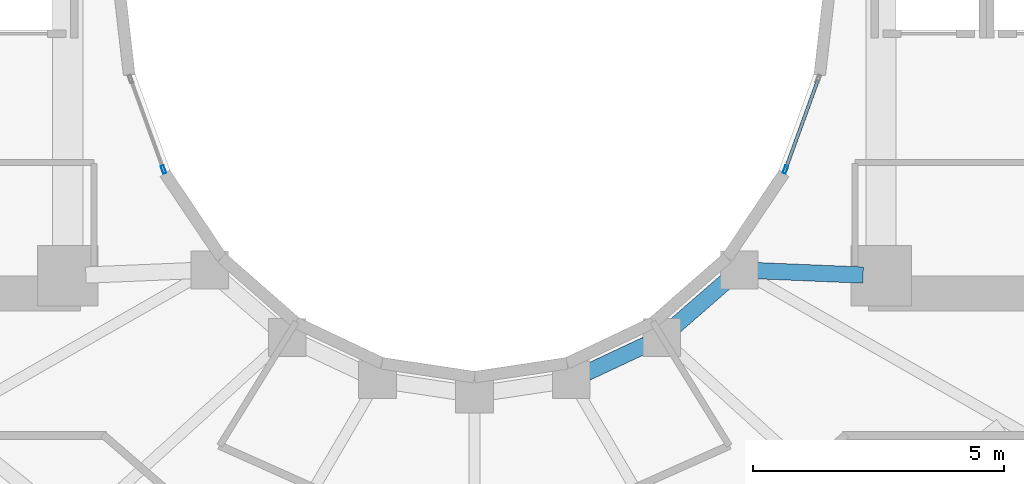
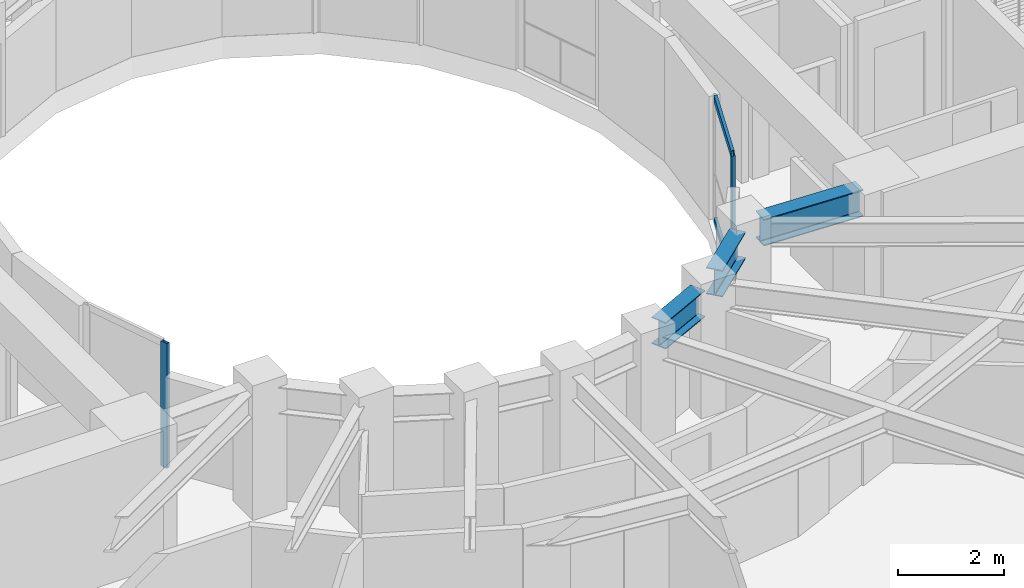
# One storey, part 4 of 20: 4 members, 3 beams, 2 elements without a shape of their own.
"""IFC4 building model written with IfcOpenShell, lengths in metres."""

from ifc_helpers import new_model, si_unit, direction, frame, origin, origin_2d, place, context, subcontext, project, spatial, hollow_rectangle, i_section, extrude, material, layer, layer_set, material_profile, profile_set, type_object, element, aggregate, save


model = new_model("IFC4")

# Units and contexts
model_context = context("Model", 3, precision=1e-05, world=origin(), true_north=direction((0.0, 1.0)))
body_context = subcontext(model_context, "Body", "Model", "MODEL_VIEW")
ifc_project = project(units=[si_unit("LENGTHUNIT", "METRE"), si_unit("AREAUNIT", "SQUARE_METRE"), si_unit("VOLUMEUNIT", "CUBIC_METRE"), si_unit("PLANEANGLEUNIT", "RADIAN"), si_unit("MASSUNIT", "GRAM", prefix="KILO")], contexts=[model_context])

# Site, building, storey
site_placement = place(None, origin())
site = spatial("IfcSite", under=ifc_project, at=site_placement, CompositionType="ELEMENT")
building_placement = place(site_placement, origin())
building = spatial("IfcBuilding", under=site, at=building_placement, Name="Solvane Sanctuary Tower", CompositionType="ELEMENT")
storey_placement = place(building_placement, frame((0.0, 0.0, 137.39990234375)))
storey = spatial("IfcBuildingStorey", under=building, at=storey_placement, Name="L41", CompositionType="ELEMENT", Elevation=137.39990234375)

# Beams
ifc_material_1 = material(Name="Steel ASTM A992 Grade 50", Category="steel")
ifc_material_profile_1 = material_profile(ifc_material_1, i_section(OverallWidth=0.324951171875, OverallDepth=0.615966796875, WebThickness=0.013916015625, FlangeThickness=0.021484375, FilletRadius=0.01611328125, at=origin_2d()), Name="W24X117")
ifc_profile_set_1 = profile_set([ifc_material_profile_1], Name="Steel ASTM A992 Grade 50")
beam_type = type_object("IfcBeamType", Name="Beam B-RING-IN2 W24X117", PredefinedType="BEAM", material=ifc_profile_set_1)
beam_1_placement = place(storey_placement, frame((34.2431640625, 14.97509765625, 2.570068359375), z_axis=(0.9051808128, 0.425026700502, 0.0), x_axis=(-0.425026700502, 0.9051808128, 0.0)))
element("IfcBeam", 1, at=beam_1_placement, inside=storey, type_object=beam_type, Name="L41 Inner Light-Well Ring Beam IC12-IC13", PredefinedType="BEAM", context=body_context, shape_type="SweptSolid", body=[
    extrude(i_section(OverallWidth=0.324951171875, OverallDepth=0.615966796875, WebThickness=0.013916015625, FlangeThickness=0.021484375, FilletRadius=0.01611328125, at=origin_2d()), origin(), (0.0, 0.0, 1.0), 1.297607421875),
])
beam_2_placement = place(storey_placement, frame((35.990234375, 15.89990234375, 2.570068359375), z_axis=(0.754311313851, 0.656516901379, 0.0), x_axis=(-0.656516901379, 0.754311313851, 0.0)))
element("IfcBeam", 2, at=beam_2_placement, inside=storey, type_object=beam_type, Name="L41 Inner Light-Well Ring Beam IC13-IC14", PredefinedType="BEAM", context=body_context, shape_type="SweptSolid", body=[
    extrude(i_section(OverallWidth=0.324951171875, OverallDepth=0.615966796875, WebThickness=0.013916015625, FlangeThickness=0.021484375, FilletRadius=0.01611328125, at=origin_2d()), origin(), (0.0, 0.0, 1.0), 1.358154296875),
])
beam_3_placement = place(storey_placement, frame((37.61962890625, 17.00341796875, 2.570068359375), z_axis=(0.999132674336, -0.041640113759, 0.0), x_axis=(0.041640113759, 0.999132674336, 0.0)))
element("IfcBeam", 3, at=beam_3_placement, inside=storey, type_object=beam_type, Name="L41 Inner Light-Well Ring Beam IC14-CE1", PredefinedType="BEAM", context=body_context, shape_type="SweptSolid", body=[
    extrude(i_section(OverallWidth=0.324951171875, OverallDepth=0.615966796875, WebThickness=0.013916015625, FlangeThickness=0.021484375, FilletRadius=0.01611328125, at=origin_2d()), origin(), (0.0, 0.0, 1.0), 2.12255859375),
])

# Curtain wall, member
ifc_material_2 = material(Name="Anodised Aluminium 6063-T6", Category="aluminium")
ifc_layer = layer(ifc_material_2, 0.199951171875, Name="Anodised Aluminium 6063-T6")
ifc_layer_set = layer_set([ifc_layer], Name="Anodised Aluminium 6063-T6")
curtain_wall_type = type_object("IfcCurtainWallType", Name="Curtain Wall CW-WELL", PredefinedType="NOTDEFINED", material=ifc_layer_set)
curtain_wall_1_placement = place(storey_placement, origin())
curtain_wall_1 = element("IfcCurtainWall", 4, at=curtain_wall_1_placement, inside=storey, type_object=curtain_wall_type, Name="L41 Light-Well Glazed Curtain Wall 13", PredefinedType="NOTDEFINED")
ifc_material_profile_2 = material_profile(ifc_material_2, hollow_rectangle(XDim=0.06494140625, YDim=0.159912109375, WallThickness=0.00341796875, at=origin_2d()), Name="ALU160X65X3.5")
ifc_profile_set_2 = profile_set([ifc_material_profile_2], Name="Anodised Aluminium 6063-T6")
member_type_1 = type_object("IfcMemberType", Name="Member M-CW-MUL-2 ALU160X65X3.5", PredefinedType="MULLION", material=ifc_profile_set_2)
member_1_placement = place(storey_placement, frame((25.8056640625, 19.017578125, 0.0), z_axis=(0.0, 0.0, 1.0), x_axis=(0.939933181429, 0.341358483781, 0.0)))
member_1 = element("IfcMember", 5, at=member_1_placement, type_object=member_type_1, Name="CW-WELL mullion 2", PredefinedType="MULLION", context=body_context, shape_type="SweptSolid", body=[
    extrude(hollow_rectangle(XDim=0.06494140625, YDim=0.159912109375, WallThickness=0.00341796875, at=origin_2d()), origin(), (0.0, 0.0, 1.0), 2.880126953125),
])
aggregate(curtain_wall_1, [member_1])

# Curtain wall, members
curtain_wall_2_placement = place(storey_placement, origin())
curtain_wall_2 = element("IfcCurtainWall", 6, at=curtain_wall_2_placement, inside=storey, type_object=curtain_wall_type, Name="L41 Light-Well Glazed Curtain Wall 22", PredefinedType="NOTDEFINED")
member_2_placement = place(storey_placement, frame((38.1943359375, 19.017578125, 0.0), z_axis=(0.0, 0.0, 1.0), x_axis=(-0.939933181429, 0.341358483781, 0.0)))
member_2 = element("IfcMember", 7, at=member_2_placement, type_object=member_type_1, Name="CW-WELL mullion 1", PredefinedType="MULLION", context=body_context, shape_type="SweptSolid", body=[
    extrude(hollow_rectangle(XDim=0.06494140625, YDim=0.159912109375, WallThickness=0.00341796875, at=origin_2d()), origin(), (0.0, 0.0, 1.0), 2.880126953125),
])
ifc_material_profile_3 = material_profile(ifc_material_2, hollow_rectangle(XDim=0.06494140625, YDim=0.159912109375, WallThickness=0.00341796875, at=origin_2d()), Name="ALU160X65X3.5")
ifc_profile_set_3 = profile_set([ifc_material_profile_3], Name="Anodised Aluminium 6063-T6")
member_type_2 = type_object("IfcMemberType", Name="Member M-CW-TRN-1 ALU160X65X3.5", PredefinedType="USERDEFINED", material=ifc_profile_set_3)
member_3_placement = place(storey_placement, frame((38.205322265625, 19.048095703125, 0.03271484375), z_axis=(0.341404620561, 0.939916424508, 0.0), x_axis=(-0.939916424508, 0.341404620561, 0.0)))
member_3 = element("IfcMember", 8, at=member_3_placement, type_object=member_type_2, Name="CW-WELL transom 1.1", ObjectType="TRANSOM", PredefinedType="USERDEFINED", context=body_context, shape_type="SweptSolid", body=[
    extrude(hollow_rectangle(XDim=0.06494140625, YDim=0.159912109375, WallThickness=0.00341796875, at=origin_2d()), origin(), (0.0, 0.0, 1.0), 1.853515625),
])
member_4_placement = place(storey_placement, frame((38.205322265625, 19.048095703125, 2.84765625), z_axis=(0.341404620561, 0.939916424508, 0.0), x_axis=(-0.939916424508, 0.341404620561, 0.0)))
member_4 = element("IfcMember", 9, at=member_4_placement, type_object=member_type_2, Name="CW-WELL transom 1.2", ObjectType="TRANSOM", PredefinedType="USERDEFINED", context=body_context, shape_type="SweptSolid", body=[
    extrude(hollow_rectangle(XDim=0.06494140625, YDim=0.159912109375, WallThickness=0.00341796875, at=origin_2d()), origin(), (0.0, 0.0, 1.0), 1.853515625),
])
aggregate(curtain_wall_2, [member_2, member_3, member_4])

save(model, "model.ifc")
